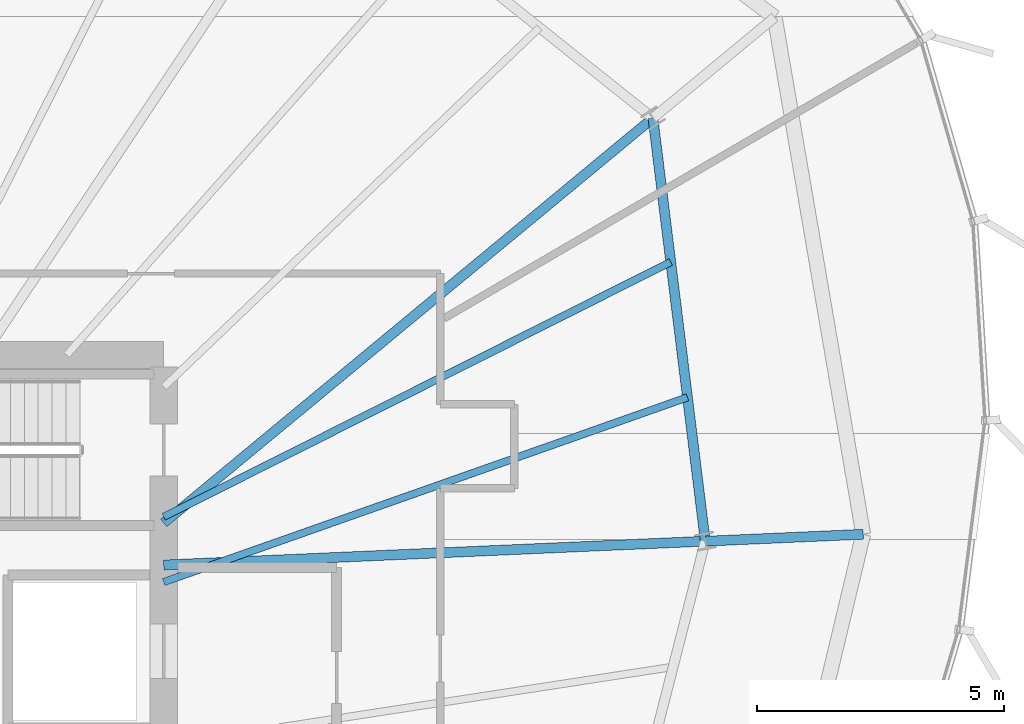
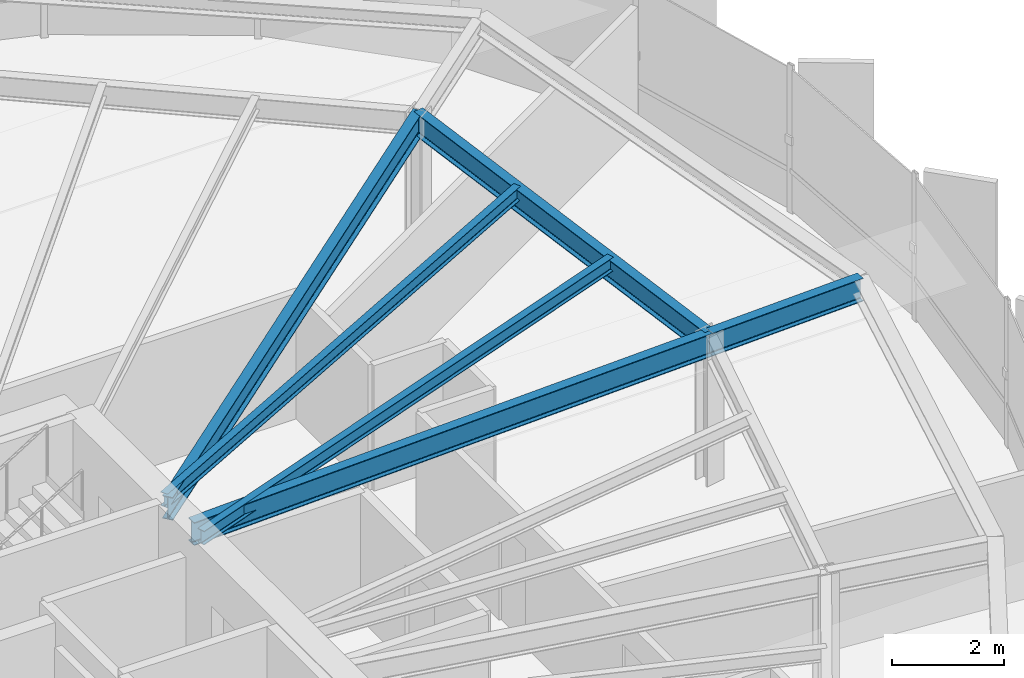
# One storey, part 18 of 34: 6 beams.
"""IFC4 building model written with IfcOpenShell, lengths in metres."""

from ifc_helpers import new_model, si_unit, direction, frame, origin, origin_2d, place, context, subcontext, project, spatial, i_section, extrude, source, transform, mapped, material, material_profile, profile_set, type_object, element, save


model = new_model("IFC4")

# Units and contexts
model_context = context("Model", 3, precision=1e-05, world=origin(), true_north=direction((0.0, 1.0)))
body_context = subcontext(model_context, "Body", "Model", "MODEL_VIEW")
ifc_project = project(units=[si_unit("LENGTHUNIT", "METRE"), si_unit("AREAUNIT", "SQUARE_METRE"), si_unit("VOLUMEUNIT", "CUBIC_METRE"), si_unit("PLANEANGLEUNIT", "RADIAN"), si_unit("MASSUNIT", "GRAM", prefix="KILO"), si_unit("THERMODYNAMICTEMPERATUREUNIT", "KELVIN")], contexts=[model_context])

# Site, building, storey
site_placement = place(None, origin())
site = spatial("IfcSite", under=ifc_project, at=site_placement, CompositionType="ELEMENT")
building_placement = place(site_placement, origin())
building = spatial("IfcBuilding", under=site, at=building_placement, Name="Kethvar Cultural Tower", CompositionType="ELEMENT")
storey_placement = place(building_placement, frame((0.0, 0.0, 186.89990234375)))
storey = spatial("IfcBuildingStorey", under=building, at=storey_placement, Name="L48", CompositionType="ELEMENT", Elevation=186.89990234375)

# Beams
ifc_material = material(Name="Steel S355J2", Category="steel")
ifc_material_profile_1 = material_profile(ifc_material, i_section(OverallWidth=0.199951171875, OverallDepth=0.5, WebThickness=0.01025390625, FlangeThickness=0.01611328125, FilletRadius=0.02099609375, at=origin_2d()), Name="Steel S355J2 — IPE500")
ifc_profile_set_1 = profile_set([ifc_material_profile_1], Name="Steel S355J2 — IPE500")
beam_type_1 = type_object("IfcBeamType", Name="BM-IPE500", PredefinedType="BEAM", material=ifc_profile_set_1)
shared_shape_1 = source(origin(), body_context, "Body", "SweptSolid", [
    extrude(i_section(OverallWidth=0.199951171875, OverallDepth=0.5, WebThickness=0.01025390625, FlangeThickness=0.01611328125, FilletRadius=0.02099609375, at=origin_2d()), origin(), (0.0, 0.0, 1.0), 10.974365234375),
])
beam_1_placement = place(storey_placement, frame((55.60009765625, 31.25, 3.008056640625), z_axis=(0.999038235064, 0.043847518511, 0.0), x_axis=(-0.043847518511, 0.999038235064, 0.0)))
element("IfcBeam", 1, at=beam_1_placement, inside=storey, type_object=beam_type_1, Name="L48 Primary Radial Beam RB-01", PredefinedType="BEAM", context=body_context, shape_type="MappedRepresentation", body=[
    mapped(shared_shape_1, transform((0.0, 0.0, 0.0), scale=1.0)),
])
shared_shape_2 = source(origin(), body_context, "Body", "SweptSolid", [
    extrude(i_section(OverallWidth=0.199951171875, OverallDepth=0.5, WebThickness=0.01025390625, FlangeThickness=0.01611328125, FilletRadius=0.02099609375, at=origin_2d()), origin(), (0.0, 0.0, 1.0), 3.2001953125),
])
beam_2_placement = place(storey_placement, frame((66.56396484375, 31.731201171875, 3.008056640625), z_axis=(0.999037352633, 0.043867619531, 0.0), x_axis=(-0.043867619531, 0.999037352633, 0.0)))
element("IfcBeam", 2, at=beam_2_placement, inside=storey, type_object=beam_type_1, Name="L48 Perimeter Cantilever Beam RC-01", PredefinedType="BEAM", context=body_context, shape_type="MappedRepresentation", body=[
    mapped(shared_shape_2, transform((0.0, 0.0, 0.0), scale=1.0)),
])
shared_shape_3 = source(origin(), body_context, "Body", "SweptSolid", [
    extrude(i_section(OverallWidth=0.199951171875, OverallDepth=0.5, WebThickness=0.01025390625, FlangeThickness=0.01611328125, FilletRadius=0.02099609375, at=origin_2d()), origin(), (0.0, 0.0, 1.0), 12.8564453125),
])
beam_3_placement = place(storey_placement, frame((55.60009765625, 32.10009765625, 3.008056640625), z_axis=(0.770354115625, 0.637616292561, 0.0), x_axis=(-0.637616292561, 0.770354115625, 0.0)))
element("IfcBeam", 3, at=beam_3_placement, inside=storey, type_object=beam_type_1, Name="L48 Primary Radial Beam RB-02", PredefinedType="BEAM", context=body_context, shape_type="MappedRepresentation", body=[
    mapped(shared_shape_3, transform((0.0, 0.0, 0.0), scale=1.0)),
])
shared_shape_4 = source(origin(), body_context, "Body", "SweptSolid", [
    extrude(i_section(OverallWidth=0.199951171875, OverallDepth=0.5, WebThickness=0.01025390625, FlangeThickness=0.01611328125, FilletRadius=0.02099609375, at=origin_2d()), origin(), (0.0, 0.0, 1.0), 8.6318359375),
])
beam_4_placement = place(storey_placement, frame((66.56396484375, 31.731201171875, 3.008056640625), z_axis=(-0.122781430908, 0.992433735936, 0.0), x_axis=(-0.992433735936, -0.122781430908, 0.0)))
element("IfcBeam", 4, at=beam_4_placement, inside=storey, type_object=beam_type_1, Name="L48 Column Ring Tie Beam CR-01", PredefinedType="BEAM", context=body_context, shape_type="MappedRepresentation", body=[
    mapped(shared_shape_4, transform((0.0, 0.0, 0.0), scale=1.0)),
])
ifc_material_profile_2 = material_profile(ifc_material, i_section(OverallWidth=0.14990234375, OverallDepth=0.300048828125, WebThickness=0.007080078125, FlangeThickness=0.0107421875, FilletRadius=0.014892578125, at=origin_2d()), Name="Steel S355J2 — IPE300")
ifc_profile_set_2 = profile_set([ifc_material_profile_2], Name="Steel S355J2 — IPE300")
beam_type_2 = type_object("IfcBeamType", Name="BM-J300", PredefinedType="JOIST", material=ifc_profile_set_2)
shared_shape_5 = source(origin(), body_context, "Body", "SweptSolid", [
    extrude(i_section(OverallWidth=0.14990234375, OverallDepth=0.300048828125, WebThickness=0.007080078125, FlangeThickness=0.0107421875, FilletRadius=0.014892578125, at=origin_2d()), origin(), (0.0, 0.0, 1.0), 11.24365234375),
])
beam_5_placement = place(storey_placement, frame((55.60009765625, 30.90380859375, 3.108154296875), z_axis=(0.943058059975, 0.332628164044, 0.0), x_axis=(-0.332628164044, 0.943058059975, 0.0)))
element("IfcBeam", 5, at=beam_5_placement, inside=storey, type_object=beam_type_2, Name="L48 Composite Floor Joist J-01A", PredefinedType="JOIST", context=body_context, shape_type="MappedRepresentation", body=[
    mapped(shared_shape_5, transform((0.0, 0.0, 0.0), scale=1.0)),
])
shared_shape_6 = source(origin(), body_context, "Body", "SweptSolid", [
    extrude(i_section(OverallWidth=0.14990234375, OverallDepth=0.300048828125, WebThickness=0.007080078125, FlangeThickness=0.0107421875, FilletRadius=0.014892578125, at=origin_2d()), origin(), (0.0, 0.0, 1.0), 11.48876953125),
])
beam_6_placement = place(storey_placement, frame((55.60009765625, 32.224365234375, 3.108154296875), z_axis=(0.893434724969, 0.449193045605, 0.0), x_axis=(-0.449193045605, 0.893434724969, 0.0)))
element("IfcBeam", 6, at=beam_6_placement, inside=storey, type_object=beam_type_2, Name="L48 Composite Floor Joist J-01B", PredefinedType="JOIST", context=body_context, shape_type="MappedRepresentation", body=[
    mapped(shared_shape_6, transform((0.0, 0.0, 0.0), scale=1.0)),
])

save(model, "model.ifc")
